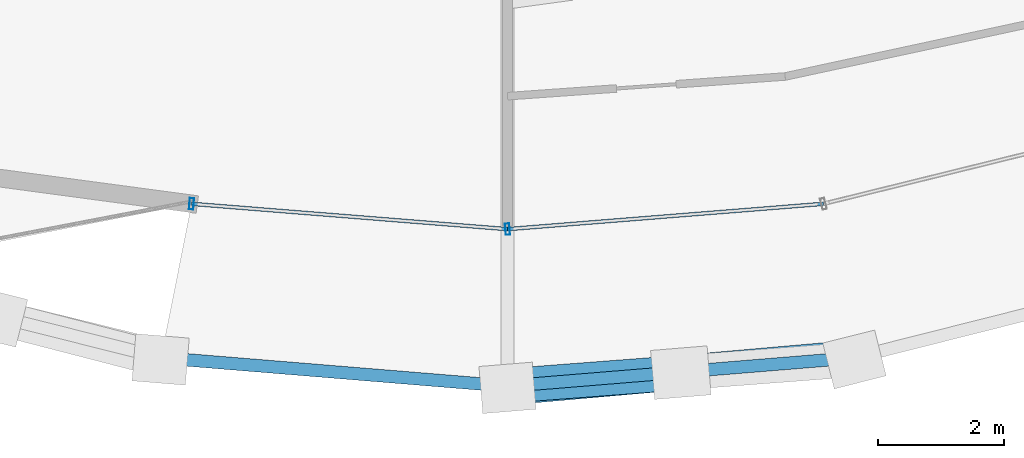
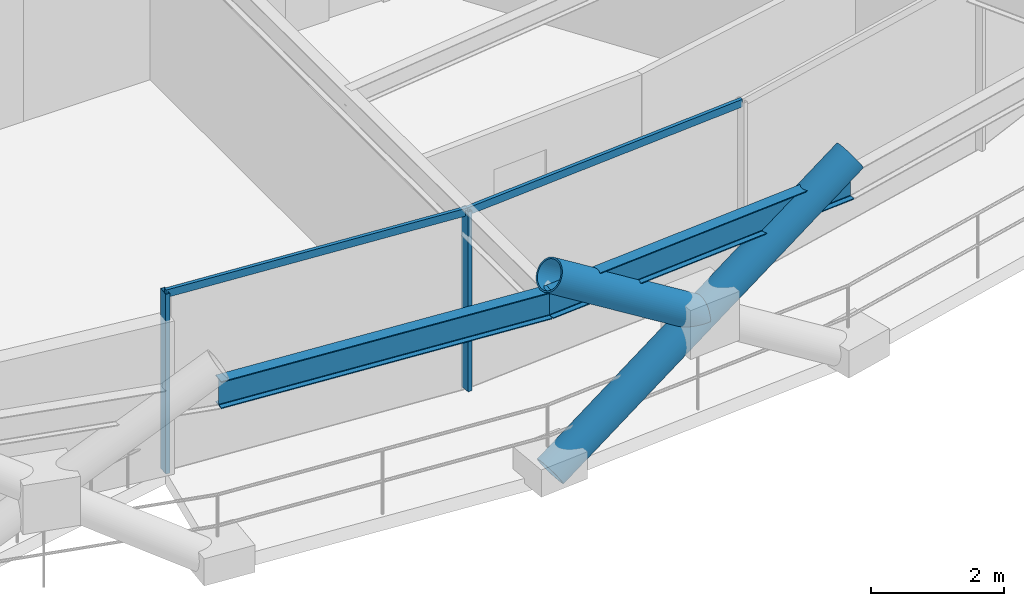
# One storey, part 2 of 19: 6 members, 2 beams, 1 element without a shape of its own.
"""IFC4 building model written with IfcOpenShell, lengths in metres."""

import ifcopenshell
import ifcopenshell.guid

model = None  # the IFC model being written
_history = None  # IfcOwnerHistory: only IFC2X3 demands one
_inside = {}  # id of a spatial element -> (the spatial element, [elements in it])
_under = {}  # id of a project, library or spatial element -> (it, [spatial elements below it])
_declared = {}  # id of a project -> (the project, [libraries it declares])
_typed = {}  # id of a type object -> (the type object, [elements of that type])
_made_of = {}  # id of a material, layer set ... -> (it, [elements and type objects made of it])


def new_model(schema):
    """Start an empty IFC model of exactly this schema.

    Asked for "IFC4X3", IfcOpenShell would pick the latest addendum, in which some entities
    have other attributes; the version numbers below select the first issue.
    IFC2X3 requires an IfcOwnerHistory on every rooted entity: one is made here for all.
    """
    global model, _history
    if schema == "IFC4X3":
        model = ifcopenshell.file(schema_version=(4, 3, 0, 0))
    else:
        model = ifcopenshell.file(schema=schema)
    _inside.clear()
    _under.clear()
    _declared.clear()
    _typed.clear()
    _made_of.clear()
    _history = None
    if model.schema == "IFC2X3":
        org = make("IfcOrganization", Name="unknown")
        user = make(
            "IfcPersonAndOrganization",
            ThePerson=make("IfcPerson", FamilyName="unknown"),
            TheOrganization=org,
        )
        app = make(
            "IfcApplication",
            ApplicationDeveloper=org,
            Version="unknown",
            ApplicationFullName="unknown",
            ApplicationIdentifier="unknown",
        )
        _history = make(
            "IfcOwnerHistory",
            OwningUser=user,
            OwningApplication=app,
            ChangeAction="ADDED",
            CreationDate=0,
        )
    return model


def make(cls, **values):
    """One entity of the class cls with the attributes given. An attribute that is None is left unset."""
    return model.create_entity(
        cls, **{name: value for name, value in values.items() if value is not None}
    )


def rooted(cls, **values):
    """An entity with a GlobalId (a new one), such as an element, a storey or a relation."""
    return make(cls, GlobalId=ifcopenshell.guid.new(), OwnerHistory=_history, **values)


def si_unit(unit_type, name, prefix=None):
    """IfcSIUnit, for example si_unit("LENGTHUNIT", "METRE", prefix="MILLI")."""
    return make("IfcSIUnit", UnitType=unit_type, Prefix=prefix, Name=name)


def assignment(units):
    """IfcUnitAssignment: the units of a project."""
    return None if units is None else make("IfcUnitAssignment", Units=units)


def point(xyz):
    """IfcCartesianPoint."""
    return None if xyz is None else make("IfcCartesianPoint", Coordinates=xyz)


def direction(xyz):
    """IfcDirection."""
    return None if xyz is None else make("IfcDirection", DirectionRatios=xyz)


def frame(location, z_axis=None, x_axis=None):
    """IfcAxis2Placement3D, a coordinate frame: its origin and axes. An axis left out is left unset."""
    return make(
        "IfcAxis2Placement3D",
        Location=point(location),
        Axis=direction(z_axis),
        RefDirection=direction(x_axis),
    )


def frame_2d(location, x_axis=None):
    """IfcAxis2Placement2D, a coordinate frame in the plane: its origin and x axis."""
    return make(
        "IfcAxis2Placement2D", Location=point(location), RefDirection=direction(x_axis)
    )


def origin():
    """The frame at (0, 0, 0) with its axes left unset."""
    return frame((0.0, 0.0, 0.0))


def origin_2d():
    """The frame at (0, 0) in the plane with its x axis left unset."""
    return frame_2d((0.0, 0.0))


def place(relative_to, where):
    """IfcLocalPlacement: puts the frame where relative to a parent placement (None: the world)."""
    return make(
        "IfcLocalPlacement", PlacementRelTo=relative_to, RelativePlacement=where
    )


def context(
    kind, dimensions, precision=None, world=None, true_north=None, identifier=None
):
    """IfcGeometricRepresentationContext, for example the 3D "Model" context."""
    return make(
        "IfcGeometricRepresentationContext",
        ContextIdentifier=identifier,
        ContextType=kind,
        CoordinateSpaceDimension=dimensions,
        Precision=precision,
        WorldCoordinateSystem=world,
        TrueNorth=true_north,
    )


def subcontext(parent, identifier, kind, view, scale=None):
    """IfcGeometricRepresentationSubContext, for example "Body" below "Model"."""
    return make(
        "IfcGeometricRepresentationSubContext",
        ContextIdentifier=identifier,
        ContextType=kind,
        ParentContext=parent,
        TargetScale=scale,
        TargetView=view,
    )


def project(units=None, contexts=None):
    """IfcProject with its units and contexts."""
    return rooted(
        "IfcProject",
        Name="project",
        RepresentationContexts=contexts,
        UnitsInContext=assignment(units),
    )


def spatial(cls, under=None, at=None, **own):
    """A site, building, storey or space (cls), placed at a placement, below another one or the project."""
    s = rooted(cls, ObjectPlacement=at, **own)
    if under is not None:
        _under.setdefault(under.id(), (under, []))[1].append(s)
    return s


def profile(cls, at=None, kind="AREA", **sizes):
    """A parametric profile (cls). Its sizes go by their IFC names, for example OverallWidth=200.0."""
    return make(cls, ProfileType=kind, Position=at, **sizes)


def hollow_rectangle(**sizes):
    """IfcRectangleHollowProfileDef."""
    return profile("IfcRectangleHollowProfileDef", **sizes)


def hollow_circle(**sizes):
    """IfcCircleHollowProfileDef."""
    return profile("IfcCircleHollowProfileDef", **sizes)


def i_section(**sizes):
    """IfcIShapeProfileDef."""
    return profile("IfcIShapeProfileDef", **sizes)


def extrude(swept, where, along, depth):
    """IfcExtrudedAreaSolid: the profile swept, set in the frame where, extruded along a direction by depth."""
    return make(
        "IfcExtrudedAreaSolid",
        SweptArea=swept,
        Position=where,
        ExtrudedDirection=direction(along),
        Depth=depth,
    )


def shape(context_of_items, identifier, shape_type, items):
    """IfcShapeRepresentation: the items that make up one representation, for example the "Body"."""
    return make(
        "IfcShapeRepresentation",
        ContextOfItems=context_of_items,
        RepresentationIdentifier=identifier,
        RepresentationType=shape_type,
        Items=items,
    )


def material(Name=None, Category=None):
    """IfcMaterial."""
    return make("IfcMaterial", Name=Name, Category=Category)


def layer(
    of_material, thickness, ventilated=None, Name=None, Category=None, Priority=None
):
    """IfcMaterialLayer: one layer of a wall or slab, of a material (None: an air gap)."""
    return make(
        "IfcMaterialLayer",
        Material=of_material,
        LayerThickness=thickness,
        IsVentilated=ventilated,
        Name=Name,
        Category=Category,
        Priority=Priority,
    )


def layer_set(layers, Name=None):
    """IfcMaterialLayerSet."""
    return make("IfcMaterialLayerSet", MaterialLayers=layers, LayerSetName=Name)


def material_profile(
    of_material, cross_section, Name=None, Category=None, Priority=None
):
    """IfcMaterialProfile: a cross section and its material."""
    return make(
        "IfcMaterialProfile",
        Name=Name,
        Material=of_material,
        Profile=cross_section,
        Priority=Priority,
        Category=Category,
    )


def profile_set(profiles, Name=None, composite=None):
    """IfcMaterialProfileSet."""
    return make(
        "IfcMaterialProfileSet",
        Name=Name,
        MaterialProfiles=profiles,
        CompositeProfile=composite,
    )


def made_of(thing, what):
    """Note that an element or type object is made of a material, layer set ...; save() writes the relation."""
    if what is not None:
        _made_of.setdefault(what.id(), (what, []))[1].append(thing)
    return thing


def type_object(cls, material=None, **own):
    """A type object (cls), such as IfcWallType, which elements share."""
    return made_of(rooted(cls, **own), material)


def element(
    cls,
    number,
    at=None,
    inside=None,
    cuts=None,
    type_object=None,
    material=None,
    context=None,
    identifier="Body",
    shape_type=None,
    held_by="IfcProductDefinitionShape",
    body=None,
    shapes=None,
    **own,
):
    """One element of the class cls, such as IfcWall. Its Tag is "e" and its number.

    at: its placement. inside: the storey or other place that contains it. cuts: it is an
    opening in that element (IfcRelVoidsElement). A single representation is given by context,
    identifier, shape_type and body (its items); several are given by shapes. held_by: the class
    of the entity that holds the representations. save() writes the other relations.
    """
    e = rooted(cls, Tag="e%d" % number, ObjectPlacement=at, **own)
    if body is not None:
        shapes = [shape(context, identifier, shape_type, body)]
    if shapes is not None:
        e.Representation = make(held_by, Representations=shapes)
    if inside is not None:
        _inside.setdefault(inside.id(), (inside, []))[1].append(e)
    if cuts is not None:
        rooted(
            "IfcRelVoidsElement", RelatingBuildingElement=cuts, RelatedOpeningElement=e
        )
    if type_object is not None:
        _typed.setdefault(type_object.id(), (type_object, []))[1].append(e)
    return made_of(e, material)


def aggregate(whole, parts):
    """IfcRelAggregates: a whole, such as a stair, and the parts it consists of."""
    return rooted("IfcRelAggregates", RelatingObject=whole, RelatedObjects=parts)


def save(model, path):
    """Write the relations noted so far, then the file.

    IfcRelAggregates (storeys below a building ...), IfcRelContainedInSpatialStructure (elements
    in a storey), IfcRelDefinesByType, IfcRelAssociatesMaterial and IfcRelDeclares: one each for
    every whole, place, type object, material and project.
    """
    for whole, parts in _under.values():
        aggregate(whole, parts)
    for where, things in _inside.values():
        rooted(
            "IfcRelContainedInSpatialStructure",
            RelatedElements=things,
            RelatingStructure=where,
        )
    for kind, things in _typed.values():
        rooted("IfcRelDefinesByType", RelatedObjects=things, RelatingType=kind)
    for what, things in _made_of.values():
        rooted("IfcRelAssociatesMaterial", RelatedObjects=things, RelatingMaterial=what)
    for by, libraries in _declared.values():
        rooted("IfcRelDeclares", RelatingContext=by, RelatedDefinitions=libraries)
    model.write(path)


model = new_model("IFC4")

# Units and contexts
model_context = context("Model", 3, precision=1e-05, world=origin(), true_north=direction((0.0, 1.0)))
body_context = subcontext(model_context, "Body", "Model", "MODEL_VIEW")
ifc_project = project(units=[si_unit("LENGTHUNIT", "METRE"), si_unit("AREAUNIT", "SQUARE_METRE"), si_unit("VOLUMEUNIT", "CUBIC_METRE"), si_unit("PLANEANGLEUNIT", "RADIAN"), si_unit("MASSUNIT", "GRAM", prefix="KILO")], contexts=[model_context])

# Site, building, storey
site_placement = place(None, origin())
site = spatial("IfcSite", under=ifc_project, at=site_placement, CompositionType="ELEMENT")
building_placement = place(site_placement, origin())
building = spatial("IfcBuilding", under=site, at=building_placement, Name="Veldorina Hangang Commons", CompositionType="ELEMENT")
storey_placement = place(building_placement, frame((0.0, 0.0, 156.800048828125)))
storey = spatial("IfcBuildingStorey", under=building, at=storey_placement, Name="L40", CompositionType="ELEMENT", Elevation=156.800048828125)

# Beams
ifc_material_1 = material(Name="Steel SM420-TMC", Category="steel")
ifc_material_profile_1 = material_profile(ifc_material_1, i_section(OverallWidth=0.199951171875, OverallDepth=0.5, WebThickness=0.010009765625, FlangeThickness=0.01611328125, FilletRadius=0.01611328125, at=origin_2d()), Name="H-500x200x10x16")
ifc_profile_set_1 = profile_set([ifc_material_profile_1], Name="Steel SM420-TMC")
beam_type = type_object("IfcBeamType", Name="BM-RB500", PredefinedType="BEAM", material=ifc_profile_set_1)
for number, where, z_axis, x_axis, name in (
    (1, (26.499267578125, 1.013671875, 3.099853515625), (0.996664012844, -0.081614003093, 0.0), (0.081614003093, 0.996664012844, 0.0), "L40 perimeter hoop ring beam 23"),
    (2, (32.0, 0.563232421875, 3.099853515625), (0.996664012844, 0.081614003093, 0.0), (-0.081614003093, 0.996664012844, 0.0), "L40 perimeter hoop ring beam 24"),
):
    element("IfcBeam", number, at=place(storey_placement, frame(where, z_axis=z_axis, x_axis=x_axis)), inside=storey, type_object=beam_type, Name=name, PredefinedType="BEAM", context=body_context, shape_type="SweptSolid", body=[
        extrude(i_section(OverallWidth=0.199951171875, OverallDepth=0.5, WebThickness=0.010009765625, FlangeThickness=0.01611328125, FilletRadius=0.01611328125, at=origin_2d()), origin(), (0.0, 0.0, 1.0), 5.51904296875),
    ])

# Curtain wall, members
ifc_material_2 = material(Name="Glass Low-E Triple IGU", Category="glass")
ifc_layer = layer(ifc_material_2, 0.179931640625)
ifc_layer_set = layer_set([ifc_layer], Name="Glass Low-E Triple IGU")
curtain_wall_type = type_object("IfcCurtainWallType", Name="CW-SYS-Z2", PredefinedType="NOTDEFINED", material=ifc_layer_set)
curtain_wall_placement = place(storey_placement, origin())
curtain_wall = element("IfcCurtainWall", 3, at=curtain_wall_placement, inside=storey, type_object=curtain_wall_type, Name="L40 unitised curtain wall CW-L40-R1", PredefinedType="NOTDEFINED")
ifc_material_3 = material(Name="Aluminium Anodized AA6063-T6", Category="aluminium")
ifc_material_profile_2 = material_profile(ifc_material_3, hollow_rectangle(XDim=0.070068359375, YDim=0.179931640625, WallThickness=0.00390625, at=origin_2d()), Name="ALU-RHS-180x70x4")
ifc_profile_set_2 = profile_set([ifc_material_profile_2], Name="Aluminium Anodized AA6063-T6")
member_type_1 = type_object("IfcMemberType", Name="CW-MUL-180", PredefinedType="MULLION", material=ifc_profile_set_2)
member_1_placement = place(storey_placement, frame((26.9833984375, 3.4580078125, 0.0), z_axis=(0.0, 0.0, 1.0), x_axis=(0.996798444994, -0.07995536291, 0.0)))
member_1 = element("IfcMember", 4, at=member_1_placement, type_object=member_type_1, Name="CW-L40-R1 vertical mullion 1", PredefinedType="MULLION", context=body_context, shape_type="SweptSolid", body=[
    extrude(hollow_rectangle(XDim=0.070068359375, YDim=0.179931640625, WallThickness=0.00390625, at=origin_2d()), origin(), (0.0, 0.0, 1.0), 3.31005859375),
])
member_2_placement = place(storey_placement, frame((32.0, 3.0556640625, 0.0), z_axis=(0.0, 0.0, 1.0), x_axis=(0.996798444994, 0.07995536291, 0.0)))
member_2 = element("IfcMember", 5, at=member_2_placement, type_object=member_type_1, Name="CW-L40-R1 vertical mullion 2", PredefinedType="MULLION", context=body_context, shape_type="SweptSolid", body=[
    extrude(hollow_rectangle(XDim=0.070068359375, YDim=0.179931640625, WallThickness=0.00390625, at=origin_2d()), origin(), (0.0, 0.0, 1.0), 3.31005859375),
])
ifc_material_profile_3 = material_profile(ifc_material_3, hollow_rectangle(XDim=0.06005859375, YDim=0.139892578125, WallThickness=0.00341796875, at=origin_2d()), Name="ALU-RHS-140x60x3.5")
ifc_profile_set_3 = profile_set([ifc_material_profile_3], Name="Aluminium Anodized AA6063-T6")
member_type_2 = type_object("IfcMemberType", Name="CW-TRN-140", PredefinedType="USERDEFINED", material=ifc_profile_set_3)
member_3_placement = place(storey_placement, frame((26.9833984375, 3.4580078125, 3.27001953125), z_axis=(0.996799216652, -0.079945742118, 0.0), x_axis=(0.079945742118, 0.996799216652, 0.0)))
member_3 = element("IfcMember", 6, at=member_3_placement, type_object=member_type_2, Name="CW-L40-R1 facet 1 transom 1", ObjectType="TRANSOM", PredefinedType="USERDEFINED", context=body_context, shape_type="SweptSolid", body=[
    extrude(hollow_rectangle(XDim=0.06005859375, YDim=0.139892578125, WallThickness=0.00341796875, at=origin_2d()), origin(), (0.0, 0.0, 1.0), 5.03271484375),
])
member_4_placement = place(storey_placement, frame((32.0, 3.0556640625, 3.27001953125), z_axis=(0.996799216652, 0.079945742118, 0.0), x_axis=(-0.079945742118, 0.996799216652, 0.0)))
member_4 = element("IfcMember", 7, at=member_4_placement, type_object=member_type_2, Name="CW-L40-R1 facet 2 transom 1", ObjectType="TRANSOM", PredefinedType="USERDEFINED", context=body_context, shape_type="SweptSolid", body=[
    extrude(hollow_rectangle(XDim=0.06005859375, YDim=0.139892578125, WallThickness=0.00341796875, at=origin_2d()), origin(), (0.0, 0.0, 1.0), 5.03271484375),
])
aggregate(curtain_wall, [member_1, member_2, member_3, member_4])

# Members
ifc_material_profile_4 = material_profile(ifc_material_1, hollow_circle(Radius=0.27490234375, WallThickness=0.028076171875, at=origin_2d()), Name="CHS-550x28")
ifc_profile_set_4 = profile_set([ifc_material_profile_4], Name="Steel SM420-TMC")
member_type_3 = type_object("IfcMemberType", Name="DG-CHS550", PredefinedType="BRACE", material=ifc_profile_set_4)
member_5_placement = place(storey_placement, frame((32.0, 0.53564453125, 0.0), z_axis=(0.834444954632, 0.073198225622, 0.546208419429), x_axis=(-0.087385287562, 0.996174588874, 0.0)))
element("IfcMember", 8, at=member_5_placement, inside=storey, type_object=member_type_3, Name="L40 continuous perimeter diagrid brace 24", PredefinedType="BRACE", context=body_context, shape_type="SweptSolid", body=[
    extrude(hollow_circle(Radius=0.27490234375, WallThickness=0.028076171875, at=origin_2d()), origin(), (0.0, 0.0, 1.0), 6.590576171875),
])
member_6_placement = place(storey_placement, frame((34.751953125, 0.777099609375, 1.801513671875), z_axis=(-0.83542058937, -0.063516274405, 0.545928678256), x_axis=(0.075810306522, -0.997122258013, 0.0)))
element("IfcMember", 9, at=member_6_placement, inside=storey, type_object=member_type_3, Name="L40 split perimeter diagrid upper brace 25", PredefinedType="BRACE", context=body_context, shape_type="SweptSolid", body=[
    extrude(hollow_circle(Radius=0.27490234375, WallThickness=0.028076171875, at=origin_2d()), origin(), (0.0, 0.0, 1.0), 3.294189453125),
])

save(model, "model.ifc")
